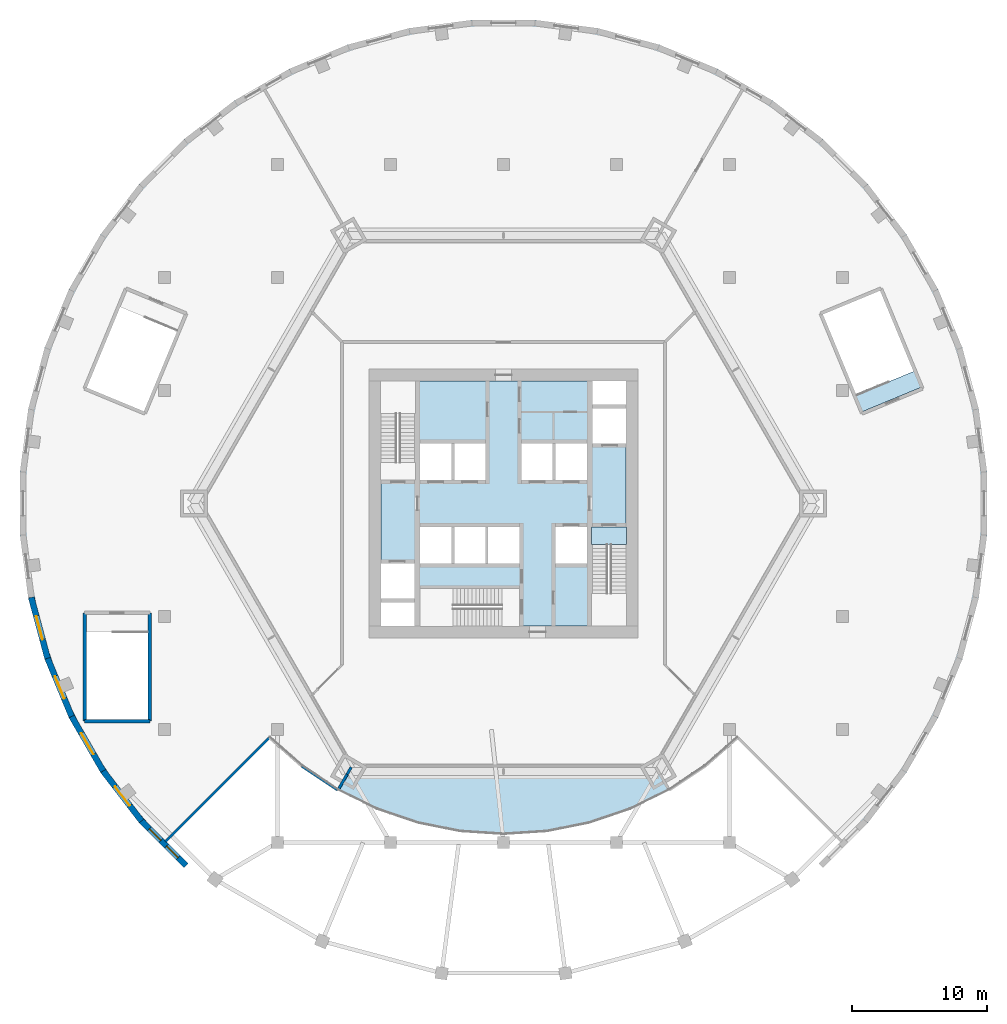
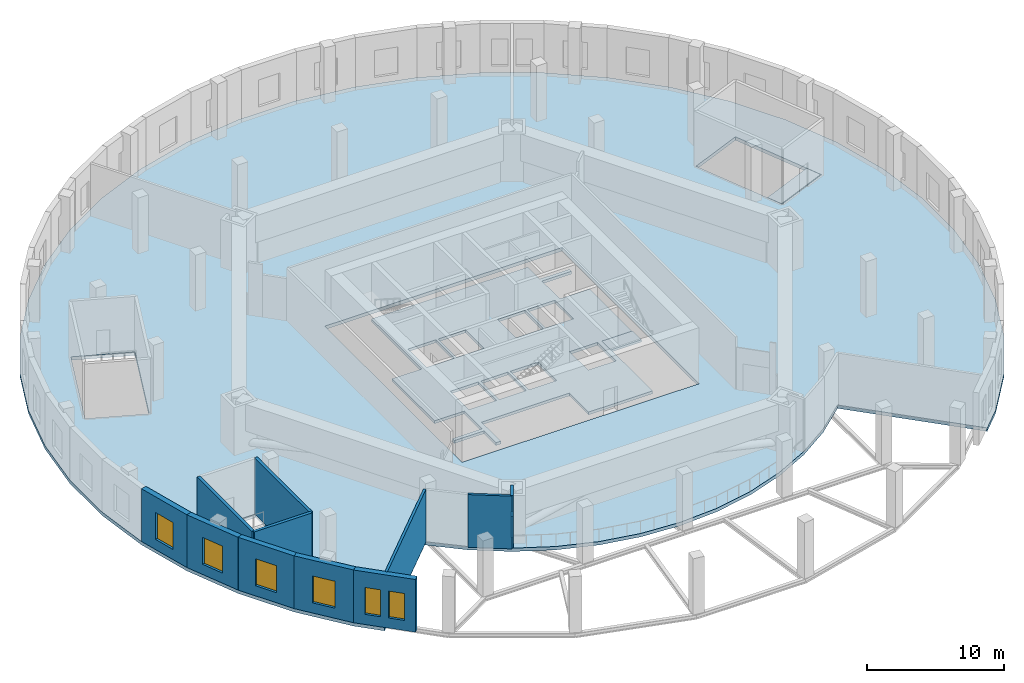
# One storey, part 2 of 10: 12 walls, 6 windows, 4 slabs, 6 openings.
"""IFC4 building model written with IfcOpenShell, lengths in metres."""

from ifc_helpers import new_model, si_unit, direction, frame, frame_2d, origin, place, context, subcontext, project, spatial, polyline, rectangle, outline, extrude, material, layer, layer_set, type_object, element, fill, save


model = new_model("IFC4")

# Units and contexts
model_context = context("Model", 3, precision=1e-05, world=origin(), true_north=direction((0.0, 1.0)))
body_context = subcontext(model_context, "Body", "Model", "MODEL_VIEW")
ifc_project = project(units=[si_unit("LENGTHUNIT", "METRE"), si_unit("AREAUNIT", "SQUARE_METRE"), si_unit("VOLUMEUNIT", "CUBIC_METRE"), si_unit("PLANEANGLEUNIT", "RADIAN"), si_unit("MASSUNIT", "GRAM", prefix="KILO")], contexts=[model_context])

# Site, building, storey
site_placement = place(None, origin())
site = spatial("IfcSite", under=ifc_project, at=site_placement, CompositionType="ELEMENT")
building_placement = place(site_placement, origin())
building = spatial("IfcBuilding", under=site, at=building_placement, Name="Golbaran Civic Tower", CompositionType="ELEMENT")
storey_placement = place(building_placement, frame((0.0, 0.0, 16.0)))
storey = spatial("IfcBuildingStorey", under=building, at=storey_placement, Name="L03", CompositionType="ELEMENT", Elevation=16.0)

# Slabs
ifc_material_1 = material(Name="Concrete C35/45", Category="concrete")
ifc_layer_1 = layer(ifc_material_1, 0.25, Name="Concrete C35/45")
ifc_layer_set_1 = layer_set([ifc_layer_1], Name="Concrete C35/45")
slab_type_1 = type_object("IfcSlabType", Name="CORE FLOOR SLAB 250", PredefinedType="FLOOR", material=ifc_layer_set_1)
slab_1_placement = place(storey_placement, frame((0.0, 0.0, -0.25)))
element("IfcSlab", 1, at=slab_1_placement, inside=storey, type_object=slab_type_1, Name="Core floor slab L03", PredefinedType="FLOOR", context=body_context, shape_type="SweptSolid", body=[
    extrude(outline(polyline([(6.60009765625, -1.75), (6.60009765625, -9.10009765625), (1.199951171875, -9.10009765625), (1.199951171875, -6.300048828125), (-6.199951171875, -6.300048828125), (-6.199951171875, -9.10009765625), (-6.60009765625, -9.10009765625), (-6.60009765625, -7.35009765625), (-9.10009765625, -7.35009765625), (-9.10009765625, -7.050048828125), (-6.60009765625, -7.050048828125), (-6.60009765625, -4.449951171875), (-9.10009765625, -4.449951171875), (-9.10009765625, 1.75), (-6.60009765625, 1.75), (-6.60009765625, 9.10009765625), (6.60009765625, 9.10009765625), (6.60009765625, 7.35009765625), (9.10009765625, 7.35009765625), (9.10009765625, 7.050048828125), (6.60009765625, 7.050048828125), (6.60009765625, 4.449951171875), (9.10009765625, 4.449951171875), (9.10009765625, -1.75), (6.60009765625, -1.75)]), holes=[polyline([(6.199951171875, -1.75), (3.85009765625, -1.75), (3.85009765625, -4.449951171875), (6.199951171875, -4.449951171875), (6.199951171875, -1.75)]), polyline([(6.199951171875, 4.449951171875), (3.85009765625, 4.449951171875), (3.85009765625, 1.75), (6.199951171875, 1.75), (6.199951171875, 4.449951171875)]), polyline([(3.64990234375, 4.449951171875), (1.35009765625, 4.449951171875), (1.35009765625, 1.75), (3.64990234375, 1.75), (3.64990234375, 4.449951171875)]), polyline([(1.199951171875, -1.75), (-1.14990234375, -1.75), (-1.14990234375, -4.449951171875), (1.199951171875, -4.449951171875), (1.199951171875, -1.75)]), polyline([(-1.35009765625, 4.449951171875), (-3.64990234375, 4.449951171875), (-3.64990234375, 1.75), (-1.35009765625, 1.75), (-1.35009765625, 4.449951171875)]), polyline([(-1.35009765625, -1.75), (-3.64990234375, -1.75), (-3.64990234375, -4.449951171875), (-1.35009765625, -4.449951171875), (-1.35009765625, -1.75)]), polyline([(-3.85009765625, -1.75), (-6.199951171875, -1.75), (-6.199951171875, -4.449951171875), (-3.85009765625, -4.449951171875), (-3.85009765625, -1.75)]), polyline([(-3.85009765625, 4.449951171875), (-6.199951171875, 4.449951171875), (-6.199951171875, 1.75), (-3.85009765625, 1.75), (-3.85009765625, 4.449951171875)])]), origin(), (0.0, 0.0, 1.0), 0.25),
])
ifc_layer_2 = layer(ifc_material_1, 0.300048828125, Name="Concrete C35/45")
ifc_layer_set_2 = layer_set([ifc_layer_2], Name="Concrete C35/45")
slab_type_2 = type_object("IfcSlabType", Name="PODIUM FLOOR SLAB 300", PredefinedType="FLOOR", material=ifc_layer_set_2)
slab_2_placement = place(storey_placement, frame((0.0, 0.0, -0.300048828125)))
element("IfcSlab", 2, at=slab_2_placement, inside=storey, type_object=slab_type_2, Name="Podium floor slab L03", PredefinedType="FLOOR", context=body_context, shape_type="SweptSolid", body=[
    extrude(outline(polyline([(32.287353515625, -15.92236328125), (29.932861328125, -20.00048828125), (27.066162109375, -23.736328125), (25.4013671875, -25.4013671875), (17.394775390625, -17.394775390625), (14.9755859375, -19.5166015625), (12.300048828125, -21.30419921875), (9.4140625, -22.7275390625), (6.366943359375, -23.76171875), (3.2109375, -24.3896484375), (0.0, -24.60009765625), (-3.2109375, -24.3896484375), (-6.366943359375, -23.76171875), (-9.4140625, -22.7275390625), (-12.300048828125, -21.30419921875), (-14.9755859375, -19.5166015625), (-17.394775390625, -17.394775390625), (-25.4013671875, -25.4013671875), (-27.066162109375, -23.736328125), (-29.932861328125, -20.00048828125), (-32.287353515625, -15.92236328125), (-34.089599609375, -11.57177734375), (-35.308349609375, -7.023193359375), (-35.9228515625, -2.3544921875), (-35.9228515625, 2.3544921875), (-35.308349609375, 7.023193359375), (-34.089599609375, 11.57177734375), (-32.287353515625, 15.92236328125), (-29.932861328125, 20.00048828125), (-27.066162109375, 23.736328125), (-23.736328125, 27.066162109375), (-20.00048828125, 29.932861328125), (-15.92236328125, 32.287353515625), (-11.57177734375, 34.089599609375), (-7.023193359375, 35.308349609375), (-2.3544921875, 35.9228515625), (2.3544921875, 35.9228515625), (7.023193359375, 35.308349609375), (11.57177734375, 34.089599609375), (15.92236328125, 32.287353515625), (20.00048828125, 29.932861328125), (23.736328125, 27.066162109375), (27.066162109375, 23.736328125), (29.932861328125, 20.00048828125), (32.287353515625, 15.92236328125), (34.089599609375, 11.57177734375), (35.308349609375, 7.023193359375), (35.9228515625, 2.3544921875), (35.9228515625, -2.3544921875), (35.308349609375, -7.023193359375), (34.089599609375, -11.57177734375), (32.287353515625, -15.92236328125)]), holes=[polyline([(31.042724609375, 8.572021484375), (28.01171875, 15.88916015625), (23.651123046875, 14.082763671875), (26.681884765625, 6.765625), (31.042724609375, 8.572021484375)]), polyline([(10.0, -10.0), (10.0, 10.0), (-10.0, 10.0), (-10.0, -10.0), (10.0, -10.0)]), polyline([(-28.01171875, 15.88916015625), (-31.042724609375, 8.572021484375), (-26.681884765625, 6.765625), (-23.651123046875, 14.082763671875), (-28.01171875, 15.88916015625)]), polyline([(-31.06005859375, -16.110107421875), (-26.340087890625, -16.110107421875), (-26.340087890625, -8.18994140625), (-31.06005859375, -8.18994140625), (-31.06005859375, -16.110107421875)])]), origin(), (0.0, 0.0, 1.0), 0.300048828125),
])
ifc_layer_3 = layer(ifc_material_1, 0.199951171875, Name="Concrete C35/45")
ifc_layer_set_3 = layer_set([ifc_layer_3], Name="Concrete C35/45")
slab_type_3 = type_object("IfcSlabType", Name="STAIR LANDING 200", PredefinedType="LANDING", material=ifc_layer_set_3)
slab_3_placement = place(storey_placement, frame((0.0, 0.0, -0.199951171875)))
element("IfcSlab", 3, at=slab_3_placement, inside=storey, type_object=slab_type_3, Name="Stair S2 floor landing L03", PredefinedType="LANDING", context=body_context, shape_type="SweptSolid", body=[
    extrude(outline(polyline([(9.14990234375, -1.75), (9.14990234375, -3.054931640625), (6.550048828125, -3.054931640625), (6.550048828125, -1.75), (9.14990234375, -1.75)])), origin(), (0.0, 0.0, 1.0), 0.199951171875),
])
slab_4_placement = place(storey_placement, frame((0.0, 0.0, -0.199951171875)))
element("IfcSlab", 4, at=slab_4_placement, inside=storey, type_object=slab_type_3, Name="Stair P1 floor landing L03", PredefinedType="LANDING", context=body_context, shape_type="SweptSolid", body=[
    extrude(outline(polyline([(26.668212890625, 6.824951171875), (26.168701171875, 8.03076171875), (30.510986328125, 9.829345703125), (31.010498046875, 8.62353515625), (26.668212890625, 6.824951171875)])), origin(), (0.0, 0.0, 1.0), 0.199951171875),
])

# Walls
ifc_material_2 = material(Name="Concrete block, plastered", Category="concrete")
ifc_layer_4 = layer(ifc_material_2, 0.199951171875, Name="Concrete block, plastered")
ifc_layer_set_4 = layer_set([ifc_layer_4], Name="Concrete block, plastered")
wall_type_1 = type_object("IfcWallType", Name="PODIUM PARTITION 200", PredefinedType="PARTITIONING", material=ifc_layer_set_4)
wall_1_placement = place(storey_placement, frame((-25.1201171875, -25.1201171875, 0.0), z_axis=(0.0, 0.0, 1.0), x_axis=(0.707106781187, 0.707106781187, 0.0)))
element("IfcWall", 5, at=wall_1_placement, inside=storey, type_object=wall_type_1, Name="Podium partition L03", PredefinedType="PARTITIONING", context=body_context, shape_type="SweptSolid", body=[
    extrude(rectangle(XDim=10.91796875, YDim=0.199951171875, at=frame_2d((5.458984375, 0.0))), origin(), (0.0, 0.0, 1.0), 4.699951171875),
])
wall_2_placement = place(storey_placement, frame((-14.97998046875, -19.52001953125, 0.0), z_axis=(0.0, 0.0, 1.0), x_axis=(0.832994734858, -0.553280915719, 0.0)))
element("IfcWall", 6, at=wall_2_placement, inside=storey, type_object=wall_type_1, Name="Podium partition L03", PredefinedType="PARTITIONING", context=body_context, shape_type="SweptSolid", body=[
    extrude(rectangle(XDim=3.21728515625, YDim=0.199951171875, at=frame_2d((1.608642578125, 0.0))), origin(), (0.0, 0.0, 1.0), 4.699951171875),
])
wall_3_placement = place(storey_placement, frame((-12.300048828125, -21.300048828125, 0.0), z_axis=(0.0, 0.0, 1.0), x_axis=(0.500367750624, 0.865812978729, 0.0)))
element("IfcWall", 7, at=wall_3_placement, inside=storey, type_object=wall_type_1, Name="Podium partition L03", PredefinedType="PARTITIONING", context=body_context, shape_type="SweptSolid", body=[
    extrude(rectangle(XDim=1.353515625, YDim=0.199951171875, at=frame_2d((0.6767578125, 0.0))), origin(), (0.0, 0.0, 1.0), 4.699951171875),
])
wall_4_placement = place(storey_placement, frame((-11.6201171875, -20.123046875, 0.0), z_axis=(0.0, 0.0, 1.0), x_axis=(0.500418219013, 0.865783810244, 0.0)))
element("IfcWall", 8, at=wall_4_placement, inside=storey, type_object=wall_type_1, Name="Podium partition L03 under the beam over", PredefinedType="PARTITIONING", context=body_context, shape_type="SweptSolid", body=[
    extrude(rectangle(XDim=0.607421875, YDim=0.199951171875, at=frame_2d((0.3037109375, 0.0))), origin(), (0.0, 0.0, 1.0), 1.889892578125),
])
ifc_material_3 = material(Name="Concrete C50/60", Category="concrete")
ifc_layer_5 = layer(ifc_material_3, 0.25, Name="Concrete C50/60")
ifc_layer_set_5 = layer_set([ifc_layer_5], Name="Concrete C50/60")
wall_type_2 = type_object("IfcWallType", Name="STAIR ENCLOSURE WALL CONCRETE 250", PredefinedType="SOLIDWALL", material=ifc_layer_set_5)
wall_5_placement = place(storey_placement, frame((-26.27490234375, -8.125, 0.0), z_axis=(0.0, 0.0, 1.0), x_axis=(0.0, -1.0, 0.0)))
element("IfcWall", 9, at=wall_5_placement, inside=storey, type_object=wall_type_2, Name="Stair P3 enclosure B L03", PredefinedType="SOLIDWALL", context=body_context, shape_type="SweptSolid", body=[
    extrude(rectangle(XDim=8.050048828125, YDim=0.25, at=frame_2d((4.02490234375, 0.0))), origin(), (0.0, 0.0, 1.0), 5.0),
])
wall_6_placement = place(storey_placement, frame((-26.27490234375, -16.175048828125, 0.0), z_axis=(0.0, 0.0, 1.0), x_axis=(-1.0, 0.0, 0.0)))
element("IfcWall", 10, at=wall_6_placement, inside=storey, type_object=wall_type_2, Name="Stair P3 enclosure C L03", PredefinedType="SOLIDWALL", context=body_context, shape_type="SweptSolid", body=[
    extrude(rectangle(XDim=4.85009765625, YDim=0.25, at=frame_2d((2.425048828125, 0.0))), origin(), (0.0, 0.0, 1.0), 5.0),
])
wall_7_placement = place(storey_placement, frame((-31.125, -16.175048828125, 0.0), z_axis=(0.0, 0.0, 1.0), x_axis=(0.0, 1.0, 0.0)))
element("IfcWall", 11, at=wall_7_placement, inside=storey, type_object=wall_type_2, Name="Stair P3 enclosure D L03", PredefinedType="SOLIDWALL", context=body_context, shape_type="SweptSolid", body=[
    extrude(rectangle(XDim=8.050048828125, YDim=0.25, at=frame_2d((4.02490234375, 0.0))), origin(), (0.0, 0.0, 1.0), 5.0),
])

# Wall, opening, window
ifc_material_4 = material(Name="Terracotta brick", Category="masonry")
ifc_layer_6 = layer(ifc_material_4, 0.449951171875, Name="Terracotta brick")
ifc_layer_set_6 = layer_set([ifc_layer_6], Name="Terracotta brick")
wall_type_3 = type_object("IfcWallType", Name="TERRACOTTA BRICK FACADE WALL 450", PredefinedType="SOLIDWALL", material=ifc_layer_set_6)
wall_8_placement = place(storey_placement, frame((-35.087646484375, -6.979248046875, 0.0), z_axis=(0.0, 0.0, 1.0), x_axis=(0.258815185258, -0.965926860523, 0.0)))
wall_8 = element("IfcWall", 12, at=wall_8_placement, inside=storey, type_object=wall_type_3, Name="Podium wall L03 facet 26", PredefinedType="SOLIDWALL", context=body_context, shape_type="SweptSolid", body=[
    extrude(rectangle(XDim=4.6796875, YDim=0.449951171875, at=frame_2d((2.33984375, 0.0))), origin(), (0.0, 0.0, 1.0), 4.699951171875),
])
opening_1_placement = place(wall_8_placement, frame((1.439697265625, 0.0, 0.89990234375)))
opening_1 = element("IfcOpeningElement", 13, at=opening_1_placement, cuts=wall_8, Name="Opening L03.W28", PredefinedType="OPENING", context=body_context, shape_type="SweptSolid", body=[
    extrude(rectangle(XDim=1.800048828125, YDim=2.39990234375, at=frame_2d((0.89990234375, 1.199951171875))), frame((0.0, 0.23486328125, 0.0), z_axis=(0.0, -1.0, 0.0), x_axis=(1.0, 0.0, 0.0)), (0.0, 0.0, 1.0), 0.469970703125),
])
ifc_material_5 = material(Name="Aluminium frame, clear glass", Category="aluminium")
window_type_1 = type_object("IfcWindowType", Name="PODIUM WINDOW 1800x2400", PartitioningType="SINGLE_PANEL", PredefinedType="WINDOW", material=ifc_material_5)
window_1_placement = place(opening_1_placement, origin())
window_1 = element("IfcWindow", 14, at=window_1_placement, inside=storey, type_object=window_type_1, Name="Podium window L03 facet 26", OverallHeight=2.39990234375, OverallWidth=1.800048828125, PartitioningType="SINGLE_PANEL", PredefinedType="WINDOW", context=body_context, shape_type="SweptSolid", body=[
    extrude(rectangle(XDim=1.800048828125, YDim=2.39990234375, at=frame_2d((0.89990234375, 1.199951171875))), frame((0.0, 0.030029296875, 0.0), z_axis=(0.0, -1.0, 0.0), x_axis=(1.0, 0.0, 0.0)), (0.0, 0.0, 1.0), 0.06005859375),
])
fill(opening_1, window_1)

wall_9_placement = place(storey_placement, frame((-33.87646484375, -11.49951171875, 0.0), z_axis=(0.0, 0.0, 1.0), x_axis=(0.382669718086, -0.923885213032, 0.0)))
wall_9 = element("IfcWall", 15, at=wall_9_placement, inside=storey, type_object=wall_type_3, Name="Podium wall L03 facet 27", PredefinedType="SOLIDWALL", context=body_context, shape_type="SweptSolid", body=[
    extrude(rectangle(XDim=4.6796875, YDim=0.449951171875, at=frame_2d((2.33984375, 0.0))), origin(), (0.0, 0.0, 1.0), 4.699951171875),
])
opening_2_placement = place(wall_9_placement, frame((1.439697265625, 0.0, 0.89990234375)))
opening_2 = element("IfcOpeningElement", 16, at=opening_2_placement, cuts=wall_9, Name="Opening L03.W29", PredefinedType="OPENING", context=body_context, shape_type="SweptSolid", body=[
    extrude(rectangle(XDim=1.800048828125, YDim=2.39990234375, at=frame_2d((0.89990234375, 1.199951171875))), frame((0.0, 0.23486328125, 0.0), z_axis=(0.0, -1.0, 0.0), x_axis=(1.0, 0.0, 0.0)), (0.0, 0.0, 1.0), 0.469970703125),
])
window_2_placement = place(opening_2_placement, origin())
window_2 = element("IfcWindow", 17, at=window_2_placement, inside=storey, type_object=window_type_1, Name="Podium window L03 facet 27", OverallHeight=2.39990234375, OverallWidth=1.800048828125, PartitioningType="SINGLE_PANEL", PredefinedType="WINDOW", context=body_context, shape_type="SweptSolid", body=[
    extrude(rectangle(XDim=1.800048828125, YDim=2.39990234375, at=frame_2d((0.89990234375, 1.199951171875))), frame((0.0, 0.030029296875, 0.0), z_axis=(0.0, -1.0, 0.0), x_axis=(1.0, 0.0, 0.0)), (0.0, 0.0, 1.0), 0.06005859375),
])
fill(opening_2, window_2)

wall_10_placement = place(storey_placement, frame((-32.085693359375, -15.822998046875, 0.0), z_axis=(0.0, 0.0, 1.0), x_axis=(0.500022025083, -0.866012687223, 0.0)))
wall_10 = element("IfcWall", 18, at=wall_10_placement, inside=storey, type_object=wall_type_3, Name="Podium wall L03 facet 28", PredefinedType="SOLIDWALL", context=body_context, shape_type="SweptSolid", body=[
    extrude(rectangle(XDim=4.679443359375, YDim=0.449951171875, at=frame_2d((2.33984375, 0.0))), origin(), (0.0, 0.0, 1.0), 4.699951171875),
])
opening_3_placement = place(wall_10_placement, frame((1.439697265625, 0.0, 0.89990234375)))
opening_3 = element("IfcOpeningElement", 19, at=opening_3_placement, cuts=wall_10, Name="Opening L03.W30", PredefinedType="OPENING", context=body_context, shape_type="SweptSolid", body=[
    extrude(rectangle(XDim=1.800048828125, YDim=2.39990234375, at=frame_2d((0.89990234375, 1.199951171875))), frame((0.0, 0.23486328125, 0.0), z_axis=(0.0, -1.0, 0.0), x_axis=(1.0, 0.0, 0.0)), (0.0, 0.0, 1.0), 0.469970703125),
])
window_3_placement = place(opening_3_placement, origin())
window_3 = element("IfcWindow", 20, at=window_3_placement, inside=storey, type_object=window_type_1, Name="Podium window L03 facet 28", OverallHeight=2.39990234375, OverallWidth=1.800048828125, PartitioningType="SINGLE_PANEL", PredefinedType="WINDOW", context=body_context, shape_type="SweptSolid", body=[
    extrude(rectangle(XDim=1.800048828125, YDim=2.39990234375, at=frame_2d((0.89990234375, 1.199951171875))), frame((0.0, 0.030029296875, 0.0), z_axis=(0.0, -1.0, 0.0), x_axis=(1.0, 0.0, 0.0)), (0.0, 0.0, 1.0), 0.06005859375),
])
fill(opening_3, window_3)

wall_11_placement = place(storey_placement, frame((-29.745849609375, -19.87548828125, 0.0), z_axis=(0.0, 0.0, 1.0), x_axis=(0.608769916927, -0.79334682721, 0.0)))
wall_11 = element("IfcWall", 21, at=wall_11_placement, inside=storey, type_object=wall_type_3, Name="Podium wall L03 facet 29", PredefinedType="SOLIDWALL", context=body_context, shape_type="SweptSolid", body=[
    extrude(rectangle(XDim=4.6796875, YDim=0.449951171875, at=frame_2d((2.33984375, 0.0))), origin(), (0.0, 0.0, 1.0), 4.699951171875),
])
opening_4_placement = place(wall_11_placement, frame((1.439697265625, 0.0, 0.89990234375)))
opening_4 = element("IfcOpeningElement", 22, at=opening_4_placement, cuts=wall_11, Name="Opening L03.W31", PredefinedType="OPENING", context=body_context, shape_type="SweptSolid", body=[
    extrude(rectangle(XDim=1.800048828125, YDim=2.39990234375, at=frame_2d((0.89990234375, 1.199951171875))), frame((0.0, 0.23486328125, 0.0), z_axis=(0.0, -1.0, 0.0), x_axis=(1.0, 0.0, 0.0)), (0.0, 0.0, 1.0), 0.469970703125),
])
window_4_placement = place(opening_4_placement, origin())
window_4 = element("IfcWindow", 23, at=window_4_placement, inside=storey, type_object=window_type_1, Name="Podium window L03 facet 29", OverallHeight=2.39990234375, OverallWidth=1.800048828125, PartitioningType="SINGLE_PANEL", PredefinedType="WINDOW", context=body_context, shape_type="SweptSolid", body=[
    extrude(rectangle(XDim=1.800048828125, YDim=2.39990234375, at=frame_2d((0.89990234375, 1.199951171875))), frame((0.0, 0.030029296875, 0.0), z_axis=(0.0, -1.0, 0.0), x_axis=(1.0, 0.0, 0.0)), (0.0, 0.0, 1.0), 0.06005859375),
])
fill(opening_4, window_4)

# Wall, openings, windows
wall_12_placement = place(storey_placement, frame((-26.89697265625, -23.588134765625, 0.0), z_axis=(0.0, 0.0, 1.0), x_axis=(0.707106781187, -0.707106781187, 0.0)))
wall_12 = element("IfcWall", 24, at=wall_12_placement, inside=storey, type_object=wall_type_3, Name="Podium wall L03 facet 30", PredefinedType="SOLIDWALL", context=body_context, shape_type="SweptSolid", body=[
    extrude(rectangle(XDim=4.679443359375, YDim=0.449951171875, at=frame_2d((2.33984375, 0.0))), origin(), (0.0, 0.0, 1.0), 4.699951171875),
])
opening_5_placement = place(wall_12_placement, frame((0.840087890625, 0.0, 0.89990234375)))
opening_5 = element("IfcOpeningElement", 25, at=opening_5_placement, cuts=wall_12, Name="Opening L03.W32", PredefinedType="OPENING", context=body_context, shape_type="SweptSolid", body=[
    extrude(rectangle(XDim=1.199951171875, YDim=2.39990234375, at=frame_2d((0.60009765625, 1.199951171875))), frame((0.0, 0.23486328125, 0.0), z_axis=(0.0, -1.0, 0.0), x_axis=(1.0, 0.0, 0.0)), (0.0, 0.0, 1.0), 0.469970703125),
])
opening_6_placement = place(wall_12_placement, frame((2.639892578125, 0.0, 0.89990234375)))
opening_6 = element("IfcOpeningElement", 26, at=opening_6_placement, cuts=wall_12, Name="Opening L03.W33", PredefinedType="OPENING", context=body_context, shape_type="SweptSolid", body=[
    extrude(rectangle(XDim=1.199951171875, YDim=2.39990234375, at=frame_2d((0.60009765625, 1.199951171875))), frame((0.0, 0.23486328125, 0.0), z_axis=(0.0, -1.0, 0.0), x_axis=(1.0, 0.0, 0.0)), (0.0, 0.0, 1.0), 0.469970703125),
])
window_type_2 = type_object("IfcWindowType", Name="PODIUM PAIRED WINDOW 1200x2400", PartitioningType="SINGLE_PANEL", PredefinedType="WINDOW", material=ifc_material_5)
window_5_placement = place(opening_5_placement, origin())
window_5 = element("IfcWindow", 27, at=window_5_placement, inside=storey, type_object=window_type_2, Name="Podium window L03 facet 30a", OverallHeight=2.39990234375, OverallWidth=1.199951171875, PartitioningType="SINGLE_PANEL", PredefinedType="WINDOW", context=body_context, shape_type="SweptSolid", body=[
    extrude(rectangle(XDim=1.199951171875, YDim=2.39990234375, at=frame_2d((0.60009765625, 1.199951171875))), frame((0.0, 0.030029296875, 0.0), z_axis=(0.0, -1.0, 0.0), x_axis=(1.0, 0.0, 0.0)), (0.0, 0.0, 1.0), 0.06005859375),
])
fill(opening_5, window_5)
window_6_placement = place(opening_6_placement, origin())
window_6 = element("IfcWindow", 28, at=window_6_placement, inside=storey, type_object=window_type_2, Name="Podium window L03 facet 30b", OverallHeight=2.39990234375, OverallWidth=1.199951171875, PartitioningType="SINGLE_PANEL", PredefinedType="WINDOW", context=body_context, shape_type="SweptSolid", body=[
    extrude(rectangle(XDim=1.199951171875, YDim=2.39990234375, at=frame_2d((0.60009765625, 1.199951171875))), frame((0.0, 0.030029296875, 0.0), z_axis=(0.0, -1.0, 0.0), x_axis=(1.0, 0.0, 0.0)), (0.0, 0.0, 1.0), 0.06005859375),
])
fill(opening_6, window_6)

save(model, "model.ifc")
